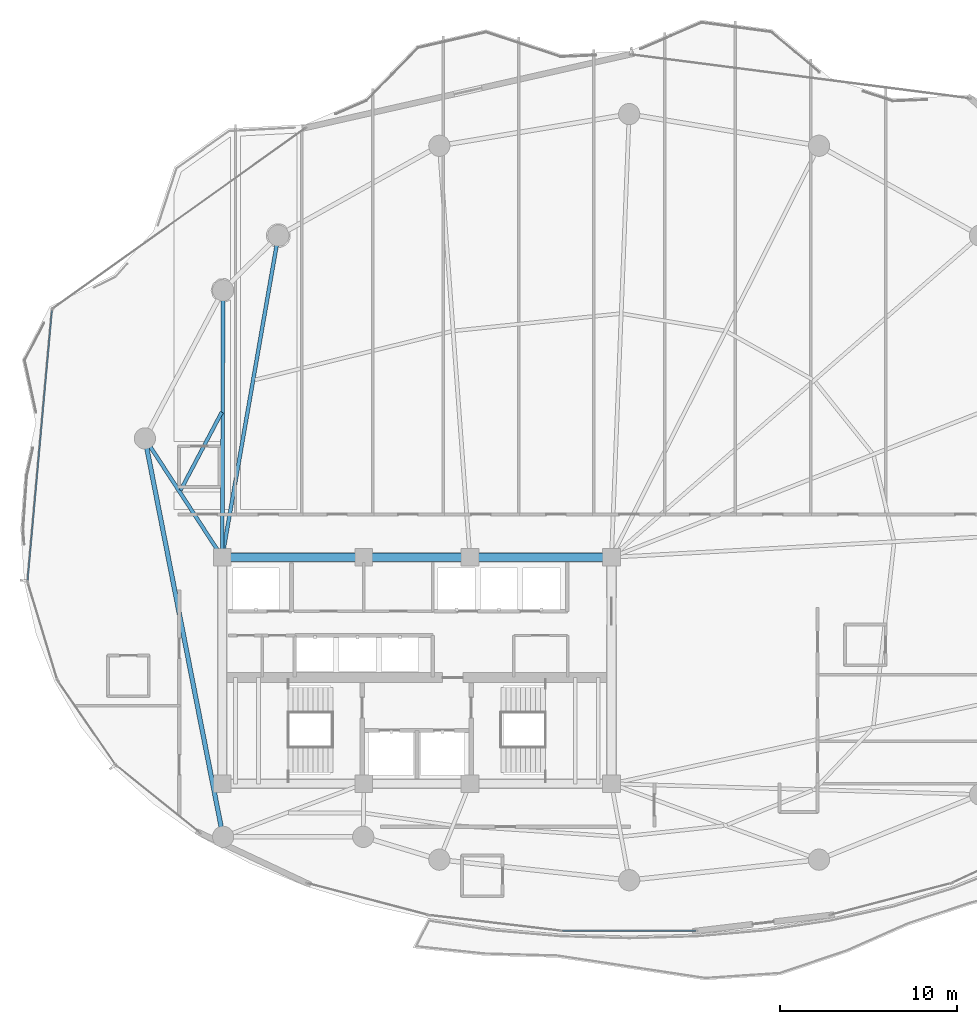
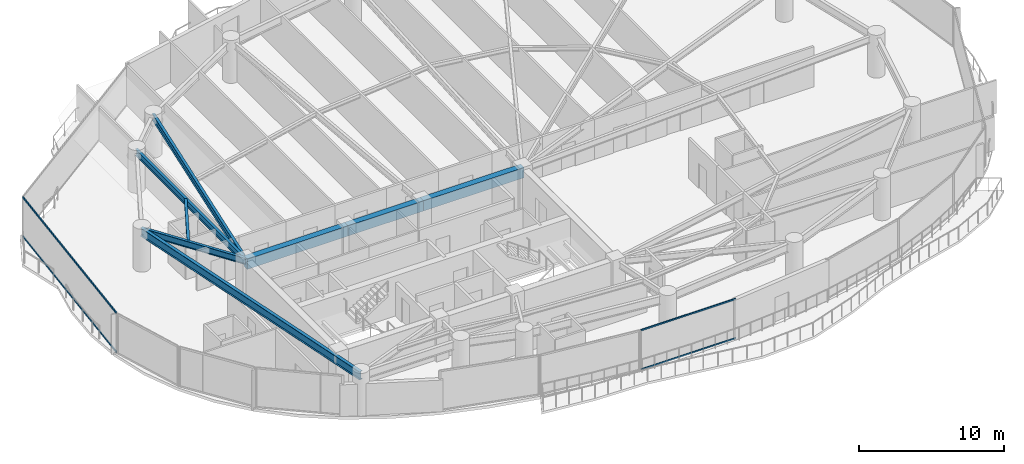
# One storey, part 9 of 33: 8 beams, 4 members, 2 elements without a shape of their own.
"""IFC4 building model written with IfcOpenShell, lengths in metres."""

from ifc_helpers import new_model, si_unit, direction, frame, origin, origin_2d, place, context, subcontext, project, spatial, rectangle, hollow_rectangle, i_section, extrude, material, layer, layer_set, material_profile, profile_set, type_object, element, aggregate, save


model = new_model("IFC4")

# Units and contexts
model_context = context("Model", 3, precision=1e-05, world=origin(), true_north=direction((0.0, 1.0)))
body_context = subcontext(model_context, "Body", "Model", "MODEL_VIEW")
ifc_project = project(units=[si_unit("LENGTHUNIT", "METRE"), si_unit("AREAUNIT", "SQUARE_METRE"), si_unit("VOLUMEUNIT", "CUBIC_METRE"), si_unit("PLANEANGLEUNIT", "RADIAN"), si_unit("MASSUNIT", "GRAM", prefix="KILO")], contexts=[model_context])

# Site, building, storey
site_placement = place(None, origin())
site = spatial("IfcSite", under=ifc_project, at=site_placement, CompositionType="ELEMENT")
building_placement = place(site_placement, origin())
building = spatial("IfcBuilding", under=site, at=building_placement, Name="Kazevale Care Tower and Concert Hall", CompositionType="ELEMENT")
storey_placement = place(building_placement, frame((0.0, 0.0, 145.800048828125)))
storey = spatial("IfcBuildingStorey", under=building, at=storey_placement, Name="L38", CompositionType="ELEMENT", Elevation=145.800048828125)

# Curtain wall, members
ifc_material_1 = material(Name="Aluminium 6063-T6 and Low-E Glass", Category="aluminium")
ifc_layer_1 = layer(ifc_material_1, 0.179931640625)
ifc_layer_set_1 = layer_set([ifc_layer_1], Name="Aluminium 6063-T6 and Low-E Glass")
curtain_wall_type_1 = type_object("IfcCurtainWallType", Name="Waist & Upper Residential Curtain Wall CW-4", PredefinedType="NOTDEFINED", material=ifc_layer_set_1)
curtain_wall_1_placement = place(storey_placement, origin())
curtain_wall_1 = element("IfcCurtainWall", 1, at=curtain_wall_1_placement, inside=storey, type_object=curtain_wall_type_1, Name="cw:L38:f13", PredefinedType="NOTDEFINED")
ifc_material_2 = material(Name="Aluminium 6063-T6", Category="aluminium")
ifc_material_profile_1 = material_profile(ifc_material_2, hollow_rectangle(XDim=0.080078125, YDim=0.139892578125, WallThickness=0.00390625, at=origin_2d()), Name="ALU80x140x4")
ifc_profile_set_1 = profile_set([ifc_material_profile_1], Name="Aluminium 6063-T6")
member_type_1 = type_object("IfcMemberType", Name="CW-4 Transom ALU80x140x4", PredefinedType="USERDEFINED", material=ifc_profile_set_1)
member_1_placement = place(storey_placement, frame((11.002197265625, 35.103759765625, 0.0400390625), z_axis=(0.089684222528, 0.995970250675, 0.0), x_axis=(-0.995970250675, 0.089684222528, 0.0)))
member_1 = element("IfcMember", 2, at=member_1_placement, type_object=member_type_1, Name="CW-4 transom 1.1", ObjectType="TRANSOM", PredefinedType="USERDEFINED", context=body_context, shape_type="SweptSolid", body=[
    extrude(hollow_rectangle(XDim=0.080078125, YDim=0.139892578125, WallThickness=0.00390625, at=origin_2d()), origin(), (0.0, 0.0, 1.0), 15.304443359375),
])
member_2_placement = place(storey_placement, frame((11.002197265625, 35.103759765625, 3.320068359375), z_axis=(0.089684222528, 0.995970250675, 0.0), x_axis=(-0.995970250675, 0.089684222528, 0.0)))
member_2 = element("IfcMember", 3, at=member_2_placement, type_object=member_type_1, Name="CW-4 transom 1.2", ObjectType="TRANSOM", PredefinedType="USERDEFINED", context=body_context, shape_type="SweptSolid", body=[
    extrude(hollow_rectangle(XDim=0.080078125, YDim=0.139892578125, WallThickness=0.00390625, at=origin_2d()), origin(), (0.0, 0.0, 1.0), 15.304443359375),
])
aggregate(curtain_wall_1, [member_1, member_2])

ifc_layer_2 = layer(ifc_material_1, 0.179931640625)
ifc_layer_set_2 = layer_set([ifc_layer_2], Name="Aluminium 6063-T6 and Low-E Glass")
curtain_wall_type_2 = type_object("IfcCurtainWallType", Name="Sheltered Concave Balcony Curtain Wall CW-5", PredefinedType="NOTDEFINED", material=ifc_layer_set_2)
curtain_wall_2_placement = place(storey_placement, origin())
curtain_wall_2 = element("IfcCurtainWall", 4, at=curtain_wall_2_placement, inside=storey, type_object=curtain_wall_type_2, Name="cw:L38:f06", PredefinedType="NOTDEFINED")
ifc_material_profile_2 = material_profile(ifc_material_2, hollow_rectangle(XDim=0.074951171875, YDim=0.1201171875, WallThickness=0.00390625, at=origin_2d()), Name="ALU75x120x4")
ifc_profile_set_2 = profile_set([ifc_material_profile_2], Name="Aluminium 6063-T6")
member_type_2 = type_object("IfcMemberType", Name="CW-5 Transom ALU75x120x4", PredefinedType="USERDEFINED", material=ifc_profile_set_2)
member_3_placement = place(storey_placement, frame((48.76611328125, 15.2890625, 0.037353515625), z_axis=(-1.0, 0.0, 0.0), x_axis=(0.0, -1.0, 0.0)))
member_3 = element("IfcMember", 5, at=member_3_placement, type_object=member_type_2, Name="CW-5 transom 1.1", ObjectType="TRANSOM", PredefinedType="USERDEFINED", context=body_context, shape_type="SweptSolid", body=[
    extrude(hollow_rectangle(XDim=0.074951171875, YDim=0.1201171875, WallThickness=0.00390625, at=origin_2d()), origin(), (0.0, 0.0, 1.0), 7.5322265625),
])
member_4_placement = place(storey_placement, frame((48.76611328125, 15.2890625, 3.322509765625), z_axis=(-1.0, 0.0, 0.0), x_axis=(0.0, -1.0, 0.0)))
member_4 = element("IfcMember", 6, at=member_4_placement, type_object=member_type_2, Name="CW-5 transom 1.2", ObjectType="TRANSOM", PredefinedType="USERDEFINED", context=body_context, shape_type="SweptSolid", body=[
    extrude(hollow_rectangle(XDim=0.074951171875, YDim=0.1201171875, WallThickness=0.00390625, at=origin_2d()), origin(), (0.0, 0.0, 1.0), 7.5322265625),
])
aggregate(curtain_wall_2, [member_3, member_4])

# Beams
ifc_material_3 = material(Name="Concrete C60", Category="concrete")
ifc_material_profile_3 = material_profile(ifc_material_3, rectangle(XDim=0.5, YDim=0.85009765625, at=origin_2d()), Name="RC-B500x850")
ifc_profile_set_3 = profile_set([ifc_material_profile_3], Name="Concrete C60")
beam_type_1 = type_object("IfcBeamType", Name="Core Coupling Beam RC500x850", PredefinedType="LINTEL", material=ifc_profile_set_3)
beam_1_placement = place(storey_placement, frame((44.0, 36.39990234375, 2.93505859375), z_axis=(-1.0, 0.0, 0.0), x_axis=(0.0, -1.0, 0.0)))
element("IfcBeam", 7, at=beam_1_placement, inside=storey, type_object=beam_type_1, Name="beam:L38:coretie:5", PredefinedType="LINTEL", context=body_context, shape_type="SweptSolid", body=[
    extrude(rectangle(XDim=0.5, YDim=0.85009765625, at=origin_2d()), origin(), (0.0, 0.0, 1.0), 8.0),
])
beam_2_placement = place(storey_placement, frame((36.0, 36.39990234375, 2.93505859375), z_axis=(-1.0, 0.0, 0.0), x_axis=(0.0, -1.0, 0.0)))
element("IfcBeam", 8, at=beam_2_placement, inside=storey, type_object=beam_type_1, Name="beam:L38:coretie:6", PredefinedType="LINTEL", context=body_context, shape_type="SweptSolid", body=[
    extrude(rectangle(XDim=0.5, YDim=0.85009765625, at=origin_2d()), origin(), (0.0, 0.0, 1.0), 6.0),
])
beam_3_placement = place(storey_placement, frame((30.0, 36.39990234375, 2.93505859375), z_axis=(-1.0, 0.0, 0.0), x_axis=(0.0, -1.0, 0.0)))
element("IfcBeam", 9, at=beam_3_placement, inside=storey, type_object=beam_type_1, Name="beam:L38:coretie:7", PredefinedType="LINTEL", context=body_context, shape_type="SweptSolid", body=[
    extrude(rectangle(XDim=0.5, YDim=0.85009765625, at=origin_2d()), origin(), (0.0, 0.0, 1.0), 8.0),
])
ifc_material_4 = material(Name="Steel ASTM A572 Gr 50", Category="steel")
ifc_material_profile_4 = material_profile(ifc_material_4, i_section(OverallWidth=0.2119140625, OverallDepth=0.5439453125, WebThickness=0.01318359375, FlangeThickness=0.021240234375, at=origin_2d()), Name="W530x123")
ifc_profile_set_4 = profile_set([ifc_material_profile_4], Name="Steel ASTM A572 Gr 50")
beam_type_2 = type_object("IfcBeamType", Name="Radial Floor Girder W530x123", PredefinedType="BEAM", material=ifc_profile_set_4)
beam_4_placement = place(storey_placement, frame((22.0, 36.39990234375, 3.087890625), z_axis=(0.171769935245, 0.985137091651, 0.0), x_axis=(-0.985137091651, 0.171769935245, 0.0)))
element("IfcBeam", 10, at=beam_4_placement, inside=storey, type_object=beam_type_2, Name="beam:L38:rad:07", PredefinedType="BEAM", context=body_context, shape_type="SweptSolid", body=[
    extrude(i_section(OverallWidth=0.2119140625, OverallDepth=0.5439453125, WebThickness=0.01318359375, FlangeThickness=0.021240234375, at=origin_2d()), origin(), (0.0, 0.0, 1.0), 18.454345703125),
])
beam_5_placement = place(storey_placement, frame((22.0, 36.39990234375, 3.087890625), z_axis=(0.003316650851, 0.999994499898, 0.0), x_axis=(-0.999994499898, 0.003316650851, 0.0)))
element("IfcBeam", 11, at=beam_5_placement, inside=storey, type_object=beam_type_2, Name="beam:L38:rad:08", PredefinedType="BEAM", context=body_context, shape_type="SweptSolid", body=[
    extrude(i_section(OverallWidth=0.2119140625, OverallDepth=0.5439453125, WebThickness=0.01318359375, FlangeThickness=0.021240234375, at=origin_2d()), origin(), (0.0, 0.0, 1.0), 15.090087890625),
])
beam_6_placement = place(storey_placement, frame((22.0, 36.39990234375, 3.087890625), z_axis=(-0.5451617613, 0.83833087383, 0.0), x_axis=(-0.83833087383, -0.5451617613, 0.0)))
element("IfcBeam", 12, at=beam_6_placement, inside=storey, type_object=beam_type_2, Name="beam:L38:rad:09", PredefinedType="BEAM", context=body_context, shape_type="SweptSolid", body=[
    extrude(i_section(OverallWidth=0.2119140625, OverallDepth=0.5439453125, WebThickness=0.01318359375, FlangeThickness=0.021240234375, at=origin_2d()), origin(), (0.0, 0.0, 1.0), 8.01611328125),
])
ifc_material_profile_5 = material_profile(ifc_material_4, i_section(OverallWidth=0.205078125, OverallDepth=0.35400390625, WebThickness=0.009521484375, FlangeThickness=0.016845703125, at=origin_2d()), Name="W360x79")
ifc_profile_set_5 = profile_set([ifc_material_profile_5], Name="Steel ASTM A572 Gr 50")
beam_type_3 = type_object("IfcBeamType", Name="Secondary Floor Joist W360x79", PredefinedType="JOIST", material=ifc_profile_set_5)
beam_7_placement = place(storey_placement, frame((21.97802734375, 44.60693359375, 3.182861328125), z_axis=(-0.466809583155, -0.884357853515, 0.0), x_axis=(0.884357853515, -0.466809583155, 0.0)))
element("IfcBeam", 13, at=beam_7_placement, inside=storey, type_object=beam_type_3, Name="beam:L38:joist:08", PredefinedType="JOIST", context=body_context, shape_type="SweptSolid", body=[
    extrude(i_section(OverallWidth=0.205078125, OverallDepth=0.35400390625, WebThickness=0.009521484375, FlangeThickness=0.016845703125, at=origin_2d()), origin(), (0.0, 0.0, 1.0), 4.99560546875),
])
ifc_material_profile_6 = material_profile(ifc_material_4, i_section(OverallWidth=0.256103515625, OverallDepth=0.693115234375, WebThickness=0.014404296875, FlangeThickness=0.023681640625, at=origin_2d()), Name="W690x170")
ifc_profile_set_6 = profile_set([ifc_material_profile_6], Name="Steel ASTM A572 Gr 50")
beam_type_4 = type_object("IfcBeamType", Name="Waist Ring Beam W690x170", PredefinedType="BEAM", material=ifc_profile_set_6)
beam_8_placement = place(storey_placement, frame((17.6298828125, 43.1201171875, 3.013427734375), z_axis=(0.192602267784, -0.9812769061, 0.0), x_axis=(0.9812769061, 0.192602267784, 0.0)))
element("IfcBeam", 14, at=beam_8_placement, inside=storey, type_object=beam_type_4, Name="beam:L38:ring:09", PredefinedType="BEAM", context=body_context, shape_type="SweptSolid", body=[
    extrude(i_section(OverallWidth=0.256103515625, OverallDepth=0.693115234375, WebThickness=0.014404296875, FlangeThickness=0.023681640625, at=origin_2d()), origin(), (0.0, 0.0, 1.0), 22.94970703125),
])

save(model, "model.ifc")
